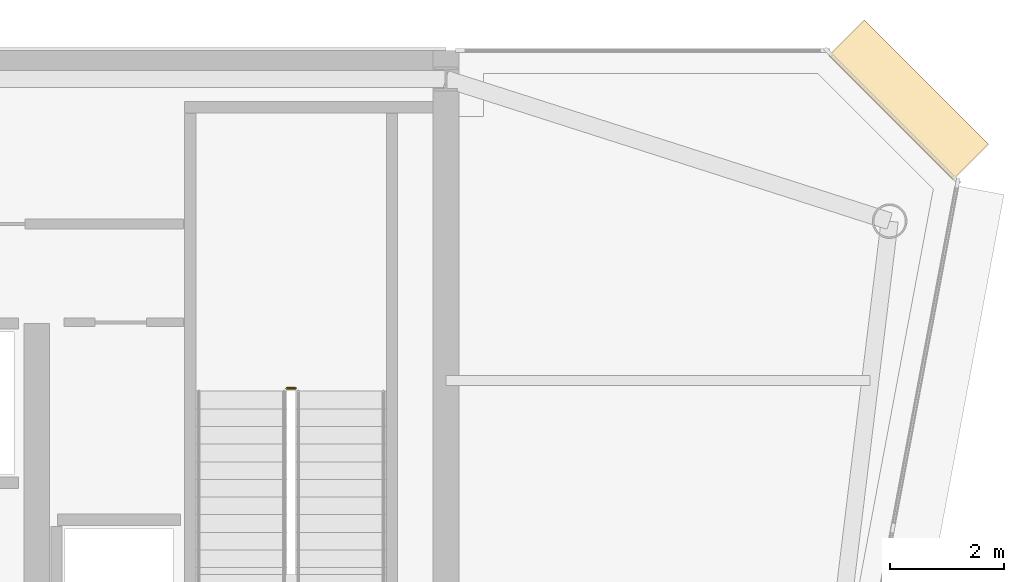
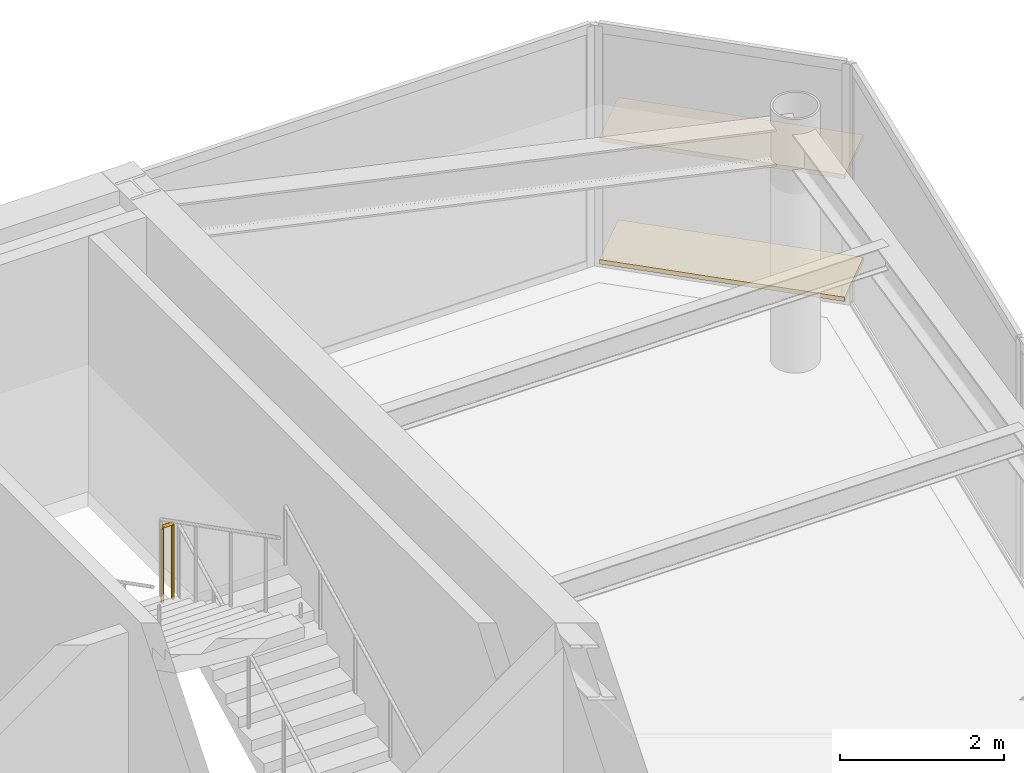
# One storey, part 19 of 19: 2 coverings, 1 railing.
"""IFC4 building model written with IfcOpenShell, lengths in metres."""

from ifc_helpers import new_model, si_unit, direction, frame, origin, origin_2d, place, context, subcontext, project, spatial, rectangle, circle, extrude, source, transform, mapped, material, layer, layer_set, type_object, element, save


model = new_model("IFC4")

# Units and contexts
model_context = context("Model", 3, precision=1e-05, world=origin(), true_north=direction((0.0, 1.0)))
body_context = subcontext(model_context, "Body", "Model", "MODEL_VIEW")
ifc_project = project(units=[si_unit("LENGTHUNIT", "METRE"), si_unit("AREAUNIT", "SQUARE_METRE"), si_unit("VOLUMEUNIT", "CUBIC_METRE"), si_unit("PLANEANGLEUNIT", "RADIAN"), si_unit("MASSUNIT", "GRAM", prefix="KILO")], contexts=[model_context])

# Site, building, storey
site_placement = place(None, origin())
site = spatial("IfcSite", under=ifc_project, at=site_placement, CompositionType="ELEMENT")
building_placement = place(site_placement, origin())
building = spatial("IfcBuilding", under=site, at=building_placement, Name="Vaeldorn Concourse Tower", CompositionType="ELEMENT")
storey_placement = place(building_placement, frame((0.0, 0.0, 276.39990234375)))
storey = spatial("IfcBuildingStorey", under=building, at=storey_placement, Name="L71", CompositionType="ELEMENT", Elevation=276.39990234375)

# Railing
ifc_material = material(Name="Anodised Bronze Aluminium", Category="aluminium")
railing_type = type_object("IfcRailingType", Name="RL-STAIR-GUARD", PredefinedType="GUARDRAIL", material=ifc_material)
railing_placement = place(storey_placement, frame((51.35009765625, 45.06005859375, 1.900146484375)))
element("IfcRailing", 1, at=railing_placement, inside=storey, type_object=railing_type, Name="L71 ST-2 stair guard 2", PredefinedType="GUARDRAIL", context=body_context, shape_type="SweptSolid", body=[
    extrude(circle(Radius=0.02392578125, at=origin_2d()), frame((0.0, 0.0, 1.1259765625), z_axis=(-1.0, 0.0, 0.0), x_axis=(0.0, -1.0, 0.0)), (0.0, 0.0, 1.0), 0.150146484375),
    extrude(circle(Radius=0.02099609375, at=origin_2d()), origin(), (0.0, 0.0, 1.0), 1.101806640625),
    extrude(circle(Radius=0.02099609375, at=origin_2d()), frame((-0.150146484375, 0.0, 0.0)), (0.0, 0.0, 1.0), 1.101806640625),
])

# Coverings
ifc_layer = layer(ifc_material, 0.06494140625)
ifc_layer_set = layer_set([ifc_layer], Name="Anodised Bronze Aluminium")
covering_type = type_object("IfcCoveringType", Name="SD-BRONZE-SUNSHADE", PredefinedType="USERDEFINED", material=ifc_layer_set)
shared_shape = source(origin(), body_context, "Body", "SweptSolid", [
    extrude(rectangle(XDim=3.0927734375, YDim=0.8798828125, at=origin_2d()), origin(), (0.0, 0.0, 1.0), 0.06494140625),
])
for number, where, z_axis, x_axis, name in (
    (2, (62.1328125, 50.1328125, 0.047607421875), (0.0, 0.0, 1.0), (-0.707106781187, 0.707106781187, 0.0), "Horizontal Bronze Sunshade L71-E08.1.1"),
    (3, (62.1328125, 50.1328125, 1.86767578125), (0.0, 0.0, 1.0), (-0.707106781187, 0.707106781187, 0.0), "Horizontal Bronze Sunshade L71-E08.1.2"),
):
    element("IfcCovering", number, at=place(storey_placement, frame(where, z_axis=z_axis, x_axis=x_axis)), inside=storey, type_object=covering_type, Name=name, ObjectType="SUNSHADE", PredefinedType="USERDEFINED", context=body_context, shape_type="MappedRepresentation", body=[
        mapped(shared_shape, transform((0.0, 0.0, 0.0), scale=1.0)),
    ])

save(model, "model.ifc")
